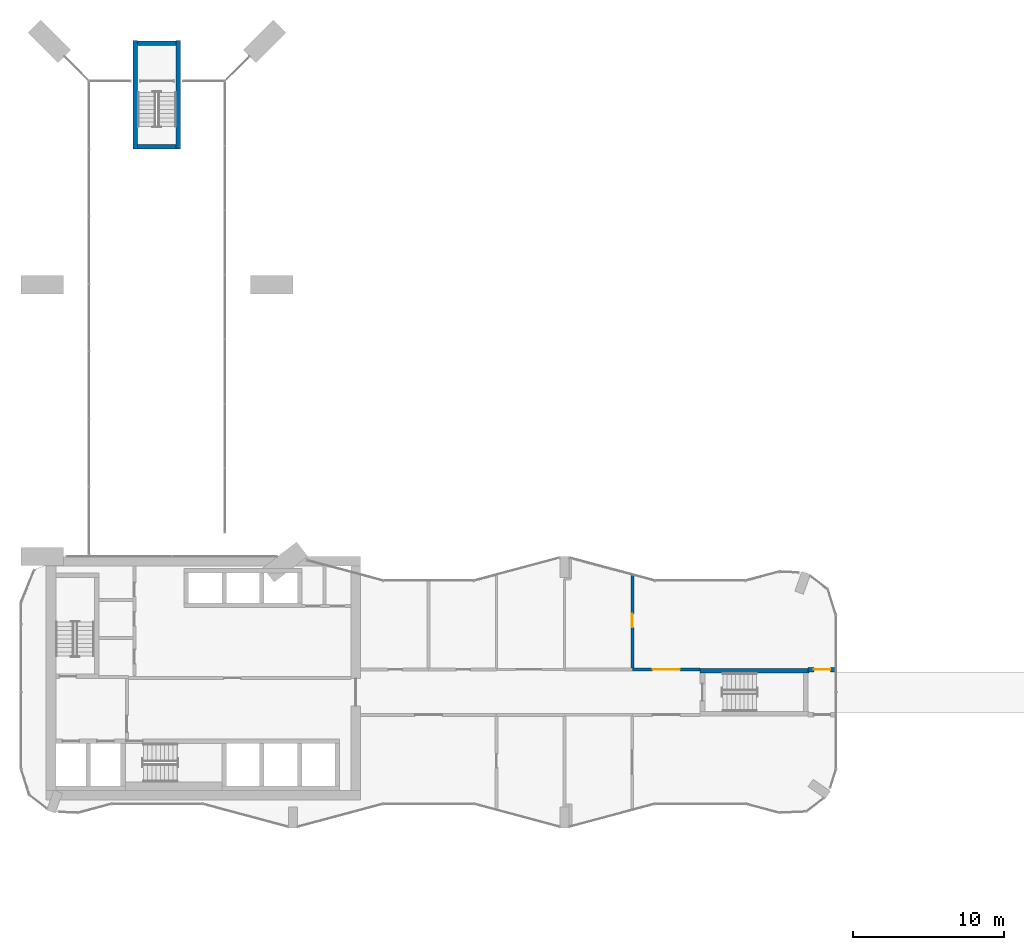
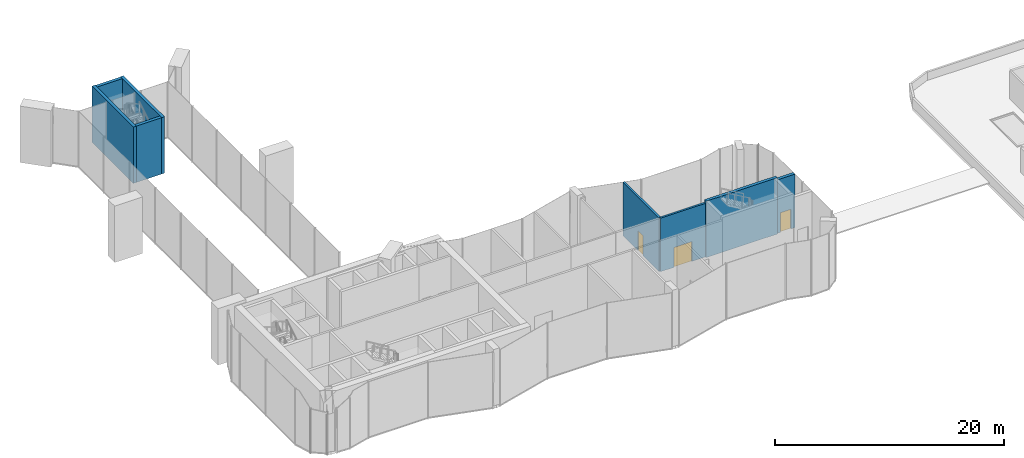
# One storey, part 12 of 19: 8 walls, 3 doors, 3 openings.
"""IFC4 building model written with IfcOpenShell, lengths in metres."""

from ifc_helpers import new_model, si_unit, direction, frame, frame_2d, origin, place, context, subcontext, project, spatial, rectangle, extrude, material, layer, layer_set, type_object, element, fill, save


model = new_model("IFC4")

# Units and contexts
model_context = context("Model", 3, precision=1e-05, world=origin(), true_north=direction((0.0, 1.0)))
body_context = subcontext(model_context, "Body", "Model", "MODEL_VIEW")
ifc_project = project(units=[si_unit("LENGTHUNIT", "METRE"), si_unit("AREAUNIT", "SQUARE_METRE"), si_unit("VOLUMEUNIT", "CUBIC_METRE"), si_unit("PLANEANGLEUNIT", "RADIAN"), si_unit("MASSUNIT", "GRAM", prefix="KILO")], contexts=[model_context])

# Site, building, storey
site_placement = place(None, origin())
site = spatial("IfcSite", under=ifc_project, at=site_placement, CompositionType="ELEMENT")
building_placement = place(site_placement, origin())
building = spatial("IfcBuilding", under=site, at=building_placement, Name="Plateau Cross Towers", CompositionType="ELEMENT")
storey_placement = place(building_placement, frame((0.0, 0.0, 128.60009765625)))
storey = spatial("IfcBuildingStorey", under=building, at=storey_placement, Name="L33", CompositionType="ELEMENT", Elevation=128.60009765625)

# Wall, opening, door
ifc_material_1 = material(Name="Concrete C60/75", Category="concrete")
ifc_layer_1 = layer(ifc_material_1, 0.300048828125)
ifc_layer_set_1 = layer_set([ifc_layer_1], Name="Concrete C60/75")
wall_type_1 = type_object("IfcWallType", Name="Bridge stub wall 300", PredefinedType="SHEAR", material=ifc_layer_set_1)
wall_1_placement = place(storey_placement, frame((52.14990234375, 10.5, 0.0), z_axis=(0.0, 0.0, 1.0), x_axis=(1.0, 0.0, 0.0)))
wall_1 = element("IfcWall", 1, at=wall_1_placement, inside=storey, type_object=wall_type_1, Name="A-end-E-bridge-N@L33", PredefinedType="SHEAR", context=body_context, shape_type="SweptSolid", body=[
    extrude(rectangle(XDim=1.85009765625, YDim=0.300048828125, at=frame_2d((0.925048828125, 0.0))), origin(), (0.0, 0.0, 1.0), 5.699951171875),
])
opening_1_placement = place(wall_1_placement, frame((0.375, 0.0, 0.0)))
opening_1 = element("IfcOpeningElement", 2, at=opening_1_placement, cuts=wall_1, Name="Opening 33-F2", PredefinedType="OPENING", context=body_context, shape_type="SweptSolid", body=[
    extrude(rectangle(XDim=1.10009765625, YDim=2.10009765625, at=frame_2d((0.550048828125, 1.050048828125))), frame((0.0, 0.159912109375, 0.0), z_axis=(0.0, -1.0, 0.0), x_axis=(1.0, 0.0, 0.0)), (0.0, 0.0, 1.0), 0.320068359375),
])
ifc_material_2 = material(Name="Steel, fire-resisting leaf", Category="steel")
door_type_1 = type_object("IfcDoorType", Name="Link lounge fire door 1100", OperationType="NOTDEFINED", PredefinedType="DOOR", material=ifc_material_2)
door_1_placement = place(opening_1_placement, origin())
door_1 = element("IfcDoor", 3, at=door_1_placement, inside=storey, type_object=door_type_1, Name="Door 33-F2", OperationType="SINGLE_SWING_LEFT", OverallHeight=2.10009765625, OverallWidth=1.10009765625, PredefinedType="DOOR", context=body_context, shape_type="SweptSolid", body=[
    extrude(rectangle(XDim=1.10009765625, YDim=2.10009765625, at=frame_2d((0.550048828125, 1.050048828125))), frame((0.0, 0.02490234375, 0.0), z_axis=(0.0, -1.0, 0.0), x_axis=(1.0, 0.0, 0.0)), (0.0, 0.0, 1.0), 0.050048828125),
])
fill(opening_1, door_1)

ifc_material_3 = material(Name="Gypsum board on steel studs, two layers each side", Category="steel")
ifc_layer_2 = layer(ifc_material_3, 0.199951171875)
ifc_layer_set_2 = layer_set([ifc_layer_2], Name="Gypsum board on steel studs, two layers each side")
wall_type_2 = type_object("IfcWallType", Name="Podium compartment wall 200", PredefinedType="PARTITIONING", material=ifc_layer_set_2)
wall_2_placement = place(storey_placement, frame((40.5, 16.794921875, 0.0), z_axis=(0.0, 0.0, 1.0), x_axis=(0.0, -1.0, 0.0)))
wall_2 = element("IfcWall", 4, at=wall_2_placement, inside=storey, type_object=wall_type_2, Name="Partition wall", PredefinedType="PARTITIONING", context=body_context, shape_type="SweptSolid", body=[
    extrude(rectangle(XDim=6.294921875, YDim=0.199951171875, at=frame_2d((3.1474609375, 0.0))), origin(), (0.0, 0.0, 1.0), 5.699951171875),
])
opening_2_placement = place(wall_2_placement, frame((2.60009765625, 0.0, 0.0)))
opening_2 = element("IfcOpeningElement", 5, at=opening_2_placement, cuts=wall_2, Name="Opening 33-06", PredefinedType="OPENING", context=body_context, shape_type="SweptSolid", body=[
    extrude(rectangle(XDim=0.89990234375, YDim=2.10009765625, at=frame_2d((0.449951171875, 1.050048828125))), frame((0.0, 0.10986328125, 0.0), z_axis=(0.0, -1.0, 0.0), x_axis=(1.0, 0.0, 0.0)), (0.0, 0.0, 1.0), 0.219970703125),
])
ifc_material_4 = material(Name="Timber, fire-resisting leaf", Category="wood")
door_type_2 = type_object("IfcDoorType", Name="Podium service door 900", OperationType="NOTDEFINED", PredefinedType="DOOR", material=ifc_material_4)
door_2_placement = place(opening_2_placement, origin())
door_2 = element("IfcDoor", 6, at=door_2_placement, inside=storey, type_object=door_type_2, Name="Door 33-06", OperationType="SINGLE_SWING_LEFT", OverallHeight=2.10009765625, OverallWidth=0.89990234375, PredefinedType="DOOR", context=body_context, shape_type="SweptSolid", body=[
    extrude(rectangle(XDim=0.89990234375, YDim=2.10009765625, at=frame_2d((0.449951171875, 1.050048828125))), frame((0.0, 0.02490234375, 0.0), z_axis=(0.0, -1.0, 0.0), x_axis=(1.0, 0.0, 0.0)), (0.0, 0.0, 1.0), 0.050048828125),
])
fill(opening_2, door_2)

ifc_material_5 = material(Name="Gypsum board on steel studs", Category="steel")
ifc_layer_3 = layer(ifc_material_5, 0.199951171875)
ifc_layer_set_3 = layer_set([ifc_layer_3], Name="Gypsum board on steel studs")
wall_type_3 = type_object("IfcWallType", Name="Podium partition 200", PredefinedType="PARTITIONING", material=ifc_layer_set_3)
wall_3_placement = place(storey_placement, frame((40.5, 10.5, 0.0), z_axis=(0.0, 0.0, 1.0), x_axis=(1.0, 0.0, 0.0)))
wall_3 = element("IfcWall", 7, at=wall_3_placement, inside=storey, type_object=wall_type_3, Name="Partition wall", PredefinedType="PARTITIONING", context=body_context, shape_type="SweptSolid", body=[
    extrude(rectangle(XDim=4.5, YDim=0.199951171875, at=frame_2d((2.25, 0.0))), origin(), (0.0, 0.0, 1.0), 5.699951171875),
])
opening_3_placement = place(wall_3_placement, frame((1.35009765625, 0.0, 0.0)))
opening_3 = element("IfcOpeningElement", 8, at=opening_3_placement, cuts=wall_3, Name="Opening 33-08", PredefinedType="OPENING", context=body_context, shape_type="SweptSolid", body=[
    extrude(rectangle(XDim=1.800048828125, YDim=2.10009765625, at=frame_2d((0.89990234375, 1.050048828125))), frame((0.0, 0.10986328125, 0.0), z_axis=(0.0, -1.0, 0.0), x_axis=(1.0, 0.0, 0.0)), (0.0, 0.0, 1.0), 0.219970703125),
])
ifc_material_6 = material(Name="Aluminium frame, toughened glass", Category="aluminium")
door_type_3 = type_object("IfcDoorType", Name="Podium door pair 1800", OperationType="NOTDEFINED", PredefinedType="DOOR", material=ifc_material_6)
door_3_placement = place(opening_3_placement, origin())
door_3 = element("IfcDoor", 9, at=door_3_placement, inside=storey, type_object=door_type_3, Name="Door 33-08", OperationType="DOUBLE_DOOR_SINGLE_SWING", OverallHeight=2.10009765625, OverallWidth=1.800048828125, PredefinedType="DOOR", context=body_context, shape_type="SweptSolid", body=[
    extrude(rectangle(XDim=1.800048828125, YDim=2.10009765625, at=frame_2d((0.89990234375, 1.050048828125))), frame((0.0, 0.02490234375, 0.0), z_axis=(0.0, -1.0, 0.0), x_axis=(1.0, 0.0, 0.0)), (0.0, 0.0, 1.0), 0.050048828125),
])
fill(opening_3, door_3)

# Walls
ifc_layer_4 = layer(ifc_material_1, 0.300048828125)
ifc_layer_set_4 = layer_set([ifc_layer_4], Name="Concrete C60/75")
wall_type_4 = type_object("IfcWallType", Name="Stair tower wall 300", PredefinedType="SHEAR", material=ifc_layer_set_4)
wall_4_placement = place(storey_placement, frame((45.0, 10.425048828125, 0.0), z_axis=(0.0, 0.0, 1.0), x_axis=(1.0, 0.0, 0.0)))
element("IfcWall", 10, at=wall_4_placement, inside=storey, type_object=wall_type_4, Name="A-end-E-N@L33", PredefinedType="SHEAR", context=body_context, shape_type="SweptSolid", body=[
    extrude(rectangle(XDim=7.199951171875, YDim=0.300048828125, at=frame_2d((3.60009765625, 0.0))), origin(), (0.0, 0.0, 1.0), 6.0),
])
for number, where, z_axis, x_axis, name in (
    (11, (7.72509765625, 45.14990234375, 0.0), (0.0, 0.0, 1.0), (1.0, 0.0, 0.0), "A-end-N-S@L33"),
    (12, (7.72509765625, 52.0, 0.0), (0.0, 0.0, 1.0), (1.0, 0.0, 0.0), "A-end-N-N@L33"),
):
    element("IfcWall", number, at=place(storey_placement, frame(where, z_axis=z_axis, x_axis=x_axis)), inside=storey, type_object=wall_type_4, Name=name, PredefinedType="SHEAR", context=body_context, shape_type="SweptSolid", body=[
        extrude(rectangle(XDim=2.5498046875, YDim=0.300048828125, at=frame_2d((1.27490234375, 0.0))), origin(), (0.0, 0.0, 1.0), 6.0),
    ])
for number, where, z_axis, x_axis, name in (
    (13, (7.574951171875, 45.0, 0.0), (0.0, 0.0, 1.0), (0.0, 1.0, 0.0), "A-end-N-W@L33"),
    (14, (10.425048828125, 45.0, 0.0), (0.0, 0.0, 1.0), (0.0, 1.0, 0.0), "A-end-N-E@L33"),
):
    element("IfcWall", number, at=place(storey_placement, frame(where, z_axis=z_axis, x_axis=x_axis)), inside=storey, type_object=wall_type_4, Name=name, PredefinedType="SHEAR", context=body_context, shape_type="SweptSolid", body=[
        extrude(rectangle(XDim=7.199951171875, YDim=0.300048828125, at=frame_2d((3.60009765625, 0.0))), origin(), (0.0, 0.0, 1.0), 6.0),
    ])

save(model, "model.ifc")
